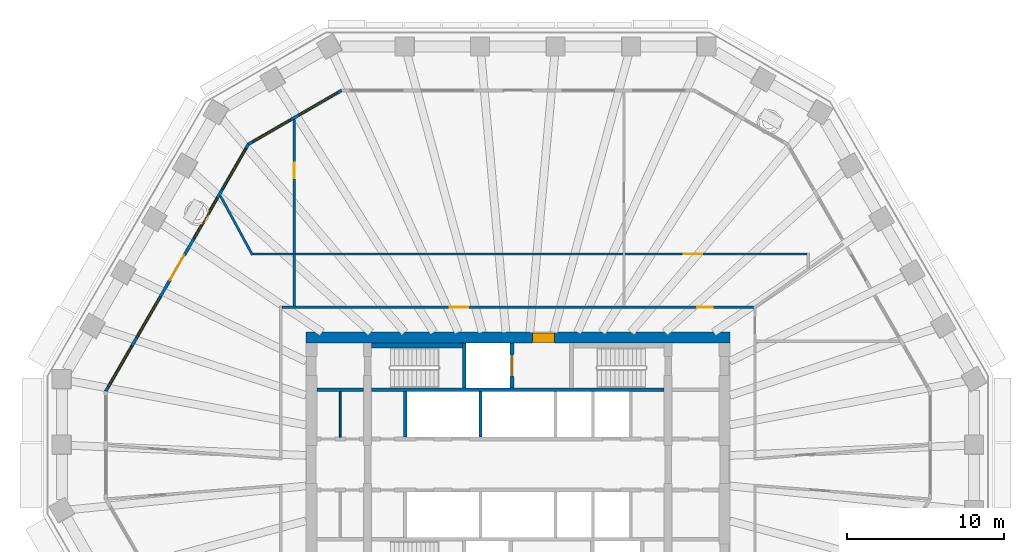
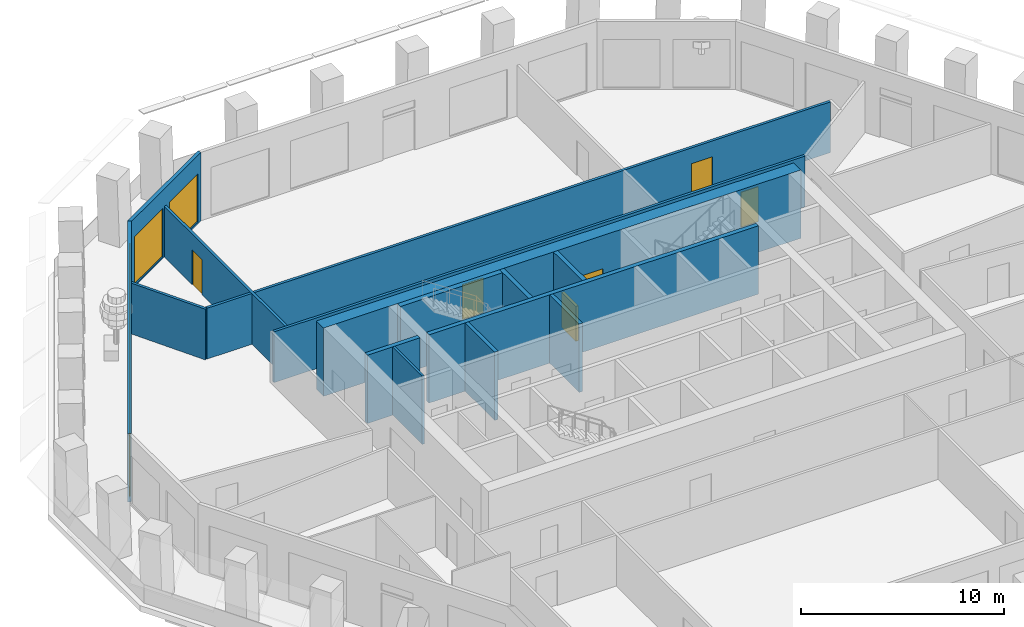
# One storey, part 7 of 13: 15 walls, 7 doors, 7 windows, 14 openings.
"""IFC4 building model written with IfcOpenShell, lengths in metres."""

from ifc_helpers import new_model, si_unit, direction, frame, frame_2d, origin, place, context, subcontext, project, spatial, polyline, rectangle, outline, extrude, material, layer, layer_set, type_object, element, fill, save


model = new_model("IFC4")

# Units and contexts
model_context = context("Model", 3, precision=1e-05, world=origin(), true_north=direction((0.0, 1.0)))
body_context = subcontext(model_context, "Body", "Model", "MODEL_VIEW")
ifc_project = project(units=[si_unit("LENGTHUNIT", "METRE"), si_unit("AREAUNIT", "SQUARE_METRE"), si_unit("VOLUMEUNIT", "CUBIC_METRE"), si_unit("PLANEANGLEUNIT", "RADIAN"), si_unit("MASSUNIT", "GRAM", prefix="KILO")], contexts=[model_context])

# Site, building, storey
site_placement = place(None, origin())
site = spatial("IfcSite", under=ifc_project, at=site_placement, CompositionType="ELEMENT")
building_placement = place(site_placement, origin())
building = spatial("IfcBuilding", under=site, at=building_placement, Name="Frailejon Research Tower", CompositionType="ELEMENT")
storey_placement = place(building_placement, frame((0.0, 0.0, 184.800048828125)))
storey = spatial("IfcBuildingStorey", under=building, at=storey_placement, Name="L40", CompositionType="ELEMENT", Elevation=184.800048828125)

# Wall
ifc_material_1 = material(Name="Plasterboard on steel studs", Category="steel")
ifc_layer_1 = layer(ifc_material_1, 0.125)
ifc_layer_set_1 = layer_set([ifc_layer_1], Name="Core partition 125")
wall_type_1 = type_object("IfcWallType", Name="Core partition 125", PredefinedType="PARTITIONING", material=ifc_layer_set_1)
wall_1_placement = place(storey_placement, frame((-11.35009765625, 1.75, 0.0), z_axis=(0.0, 0.0, 1.0), x_axis=(0.0, 1.0, 0.0)))
element("IfcWall", 1, at=wall_1_placement, inside=storey, type_object=wall_type_1, Name="Core partition", PredefinedType="PARTITIONING", context=body_context, shape_type="SweptSolid", body=[
    extrude(rectangle(XDim=2.89990234375, YDim=0.125, at=frame_2d((1.449951171875, 0.0))), origin(), (0.0, 0.0, 1.0), 4.099853515625),
])

# Wall, opening, door
ifc_material_2 = material(Name="Concrete C60/75", Category="concrete")
ifc_layer_2 = layer(ifc_material_2, 0.699951171875)
ifc_layer_set_2 = layer_set([ifc_layer_2], Name="Core shear wall 700 C60/75")
wall_type_2 = type_object("IfcWallType", Name="Core shear wall 700 C60/75", PredefinedType="SHEAR", material=ifc_layer_set_2)
wall_2_placement = place(storey_placement, frame((-13.550048828125, 8.10009765625, 0.0), z_axis=(0.0, 0.0, 1.0), x_axis=(1.0, 0.0, 0.0)))
wall_2 = element("IfcWall", 2, at=wall_2_placement, inside=storey, type_object=wall_type_2, Name="Core shear wall", PredefinedType="SHEAR", context=body_context, shape_type="SweptSolid", body=[
    extrude(rectangle(XDim=27.10009765625, YDim=0.699951171875, at=frame_2d((13.550048828125, 0.0))), origin(), (0.0, 0.0, 1.0), 4.099853515625),
])
opening_1_placement = place(wall_2_placement, frame((14.47509765625, 0.0, 0.0)))
opening_1 = element("IfcOpeningElement", 3, at=opening_1_placement, cuts=wall_2, Name="Opening D9", PredefinedType="OPENING", context=body_context, shape_type="SweptSolid", body=[
    extrude(rectangle(XDim=1.39990234375, YDim=2.10009765625, at=frame_2d((0.699951171875, 1.050048828125))), frame((0.0, 0.35986328125, 0.0), z_axis=(0.0, -1.0, 0.0), x_axis=(1.0, 0.0, 0.0)), (0.0, 0.0, 1.0), 0.719970703125),
])
ifc_material_3 = material(Name="Steel", Category="steel")
door_type_1 = type_object("IfcDoorType", Name="Goods lobby door", OperationType="DOUBLE_DOOR_SINGLE_SWING", PredefinedType="DOOR", material=ifc_material_3)
door_1_placement = place(opening_1_placement, origin())
door_1 = element("IfcDoor", 4, at=door_1_placement, inside=storey, type_object=door_type_1, Name="Goods lobby door", OperationType="DOUBLE_DOOR_SINGLE_SWING", OverallHeight=2.10009765625, OverallWidth=1.39990234375, PredefinedType="DOOR", context=body_context, shape_type="SweptSolid", body=[
    extrude(rectangle(XDim=1.39990234375, YDim=2.10009765625, at=frame_2d((0.699951171875, 1.050048828125))), frame((0.0, 0.300048828125, 0.0), z_axis=(0.0, -1.0, 0.0), x_axis=(1.0, 0.0, 0.0)), (0.0, 0.0, 1.0), 0.60009765625),
])
fill(opening_1, door_1)

# Wall, openings, doors
ifc_material_4 = material(Name="Gypsum board and masonry partition", Category="masonry")
ifc_layer_3 = layer(ifc_material_4, 0.14990234375)
ifc_layer_set_3 = layer_set([ifc_layer_3], Name="Corridor wall EI 60, gypsum on steel studs 150")
wall_type_3 = type_object("IfcWallType", Name="Corridor wall EI 60, gypsum on steel studs 150", PredefinedType="PARTITIONING", material=ifc_layer_set_3)
wall_3_placement = place(storey_placement, frame((-15.074951171875, 10.050048828125, 0.0), z_axis=(0.0, 0.0, 1.0), x_axis=(1.0, 0.0, 0.0)))
wall_3 = element("IfcWall", 5, at=wall_3_placement, inside=storey, type_object=wall_type_3, Name="T:IW:L40:003", PredefinedType="PARTITIONING", context=body_context, shape_type="SweptSolid", body=[
    extrude(rectangle(XDim=30.14990234375, YDim=0.14990234375, at=frame_2d((15.074951171875, 0.0))), origin(), (0.0, 0.0, 1.0), 3.050048828125),
])
opening_2_placement = place(wall_3_placement, frame((26.5390625, 0.0, 0.0)))
opening_2 = element("IfcOpeningElement", 6, at=opening_2_placement, cuts=wall_3, Name="Opening D1865", PredefinedType="OPENING", context=body_context, shape_type="SweptSolid", body=[
    extrude(rectangle(XDim=1.0, YDim=2.10009765625, at=frame_2d((0.5, 1.050048828125))), frame((0.0, 0.0849609375, 0.0), z_axis=(0.0, -1.0, 0.0), x_axis=(1.0, 0.0, 0.0)), (0.0, 0.0, 1.0), 0.169921875),
])
opening_3_placement = place(wall_3_placement, frame((10.71630859375, 0.0, 0.0)))
opening_3 = element("IfcOpeningElement", 7, at=opening_3_placement, cuts=wall_3, Name="Opening D1868", PredefinedType="OPENING", context=body_context, shape_type="SweptSolid", body=[
    extrude(rectangle(XDim=1.199951171875, YDim=2.10009765625, at=frame_2d((0.60009765625, 1.050048828125))), frame((0.0, 0.0849609375, 0.0), z_axis=(0.0, -1.0, 0.0), x_axis=(1.0, 0.0, 0.0)), (0.0, 0.0, 1.0), 0.169921875),
])
ifc_material_5 = material(Name="Timber door leaf", Category="wood")
door_type_2 = type_object("IfcDoorType", Name="Door laboratory, timber, vision panel 1000", OperationType="NOTDEFINED", PredefinedType="DOOR", material=ifc_material_5)
door_2_placement = place(opening_2_placement, origin())
door_2 = element("IfcDoor", 8, at=door_2_placement, inside=storey, type_object=door_type_2, Name="D1865", OperationType="SINGLE_SWING_LEFT", OverallHeight=2.10009765625, OverallWidth=1.0, PredefinedType="DOOR", context=body_context, shape_type="SweptSolid", body=[
    extrude(rectangle(XDim=1.0, YDim=2.10009765625, at=frame_2d((0.5, 1.050048828125))), frame((0.0, 0.02490234375, 0.0), z_axis=(0.0, -1.0, 0.0), x_axis=(1.0, 0.0, 0.0)), (0.0, 0.0, 1.0), 0.050048828125),
])
fill(opening_2, door_2)
ifc_material_6 = material(Name="Timber door leaf", Category="wood")
door_type_3 = type_object("IfcDoorType", Name="Door single leaf, timber, steel frame 1200", OperationType="NOTDEFINED", PredefinedType="DOOR", material=ifc_material_6)
door_3_placement = place(opening_3_placement, origin())
door_3 = element("IfcDoor", 9, at=door_3_placement, inside=storey, type_object=door_type_3, Name="D1868", OperationType="DOUBLE_DOOR_SINGLE_SWING", OverallHeight=2.10009765625, OverallWidth=1.199951171875, PredefinedType="DOOR", context=body_context, shape_type="SweptSolid", body=[
    extrude(rectangle(XDim=1.199951171875, YDim=2.10009765625, at=frame_2d((0.60009765625, 1.050048828125))), frame((0.0, 0.02490234375, 0.0), z_axis=(0.0, -1.0, 0.0), x_axis=(1.0, 0.0, 0.0)), (0.0, 0.0, 1.0), 0.050048828125),
])
fill(opening_3, door_3)

# Wall, opening, door
ifc_material_7 = material(Name="Gypsum board and masonry partition", Category="masonry")
ifc_layer_4 = layer(ifc_material_7, 0.14990234375)
ifc_layer_set_4 = layer_set([ifc_layer_4], Name="Laboratory partition, blockwork 150")
wall_type_4 = type_object("IfcWallType", Name="Laboratory partition, blockwork 150", PredefinedType="PARTITIONING", material=ifc_layer_set_4)
wall_4_placement = place(storey_placement, frame((-16.919189453125, 13.449951171875, 0.0), z_axis=(0.0, 0.0, 1.0), x_axis=(1.0, 0.0, 0.0)))
wall_4 = element("IfcWall", 10, at=wall_4_placement, inside=storey, type_object=wall_type_4, Name="T:IW:L40:013", PredefinedType="PARTITIONING", context=body_context, shape_type="SweptSolid", body=[
    extrude(rectangle(XDim=35.394287109375, YDim=0.14990234375, at=frame_2d((17.697265625, 0.0))), origin(), (0.0, 0.0, 1.0), 3.050048828125),
])
opening_4_placement = place(wall_4_placement, frame((27.501220703125, 0.0, 0.0)))
opening_4 = element("IfcOpeningElement", 11, at=opening_4_placement, cuts=wall_4, Name="Opening D1866", PredefinedType="OPENING", context=body_context, shape_type="SweptSolid", body=[
    extrude(rectangle(XDim=1.199951171875, YDim=2.10009765625, at=frame_2d((0.60009765625, 1.050048828125))), frame((0.0, 0.0849609375, 0.0), z_axis=(0.0, -1.0, 0.0), x_axis=(1.0, 0.0, 0.0)), (0.0, 0.0, 1.0), 0.169921875),
])
ifc_material_8 = material(Name="Timber door leaf", Category="wood")
door_type_4 = type_object("IfcDoorType", Name="Door laboratory, timber, vision panel 1200", OperationType="NOTDEFINED", PredefinedType="DOOR", material=ifc_material_8)
door_4_placement = place(opening_4_placement, origin())
door_4 = element("IfcDoor", 12, at=door_4_placement, inside=storey, type_object=door_type_4, Name="D1866", OperationType="DOUBLE_DOOR_SINGLE_SWING", OverallHeight=2.10009765625, OverallWidth=1.199951171875, PredefinedType="DOOR", context=body_context, shape_type="SweptSolid", body=[
    extrude(rectangle(XDim=1.199951171875, YDim=2.10009765625, at=frame_2d((0.60009765625, 1.050048828125))), frame((0.0, 0.02490234375, 0.0), z_axis=(0.0, -1.0, 0.0), x_axis=(1.0, 0.0, 0.0)), (0.0, 0.0, 1.0), 0.050048828125),
])
fill(opening_4, door_4)

wall_5_placement = place(storey_placement, frame((-14.29345703125, 10.125, 0.0), z_axis=(0.0, 0.0, 1.0), x_axis=(0.0, 1.0, 0.0)))
wall_5 = element("IfcWall", 13, at=wall_5_placement, inside=storey, type_object=wall_type_4, Name="T:IW:L40:016", PredefinedType="PARTITIONING", context=body_context, shape_type="SweptSolid", body=[
    extrude(rectangle(XDim=11.912109375, YDim=0.14990234375, at=frame_2d((5.9560546875, 0.0))), origin(), (0.0, 0.0, 1.0), 3.050048828125),
])
opening_5_placement = place(wall_5_placement, frame((8.151611328125, 0.0, 0.0)))
opening_5 = element("IfcOpeningElement", 14, at=opening_5_placement, cuts=wall_5, Name="Opening D1869", PredefinedType="OPENING", context=body_context, shape_type="SweptSolid", body=[
    extrude(rectangle(XDim=1.0, YDim=2.10009765625, at=frame_2d((0.5, 1.050048828125))), frame((0.0, 0.0849609375, 0.0), z_axis=(0.0, -1.0, 0.0), x_axis=(1.0, 0.0, 0.0)), (0.0, 0.0, 1.0), 0.169921875),
])
door_5_placement = place(opening_5_placement, origin())
door_5 = element("IfcDoor", 15, at=door_5_placement, inside=storey, type_object=door_type_2, Name="D1869", OperationType="SINGLE_SWING_LEFT", OverallHeight=2.10009765625, OverallWidth=1.0, PredefinedType="DOOR", context=body_context, shape_type="SweptSolid", body=[
    extrude(rectangle(XDim=1.0, YDim=2.10009765625, at=frame_2d((0.5, 1.050048828125))), frame((0.0, 0.02490234375, 0.0), z_axis=(0.0, -1.0, 0.0), x_axis=(1.0, 0.0, 0.0)), (0.0, 0.0, 1.0), 0.050048828125),
])
fill(opening_5, door_5)

# Walls
wall_6_placement = place(storey_placement, frame((-19.009033203125, 17.164306640625, 0.0), z_axis=(0.0, 0.0, 1.0), x_axis=(0.476802444232, -0.879010482972, 0.0)))
element("IfcWall", 16, at=wall_6_placement, inside=storey, type_object=wall_type_4, Name="T:IW:L40:017", PredefinedType="PARTITIONING", context=body_context, shape_type="SweptSolid", body=[
    extrude(rectangle(XDim=4.300537109375, YDim=0.14990234375, at=frame_2d((2.150390625, 0.0))), origin(), (0.0, 0.0, 1.0), 3.050048828125),
])
ifc_material_9 = material(Name="Concrete C60/75", Category="concrete")
ifc_layer_5 = layer(ifc_material_9, 0.199951171875)
ifc_layer_set_5 = layer_set([ifc_layer_5], Name="Shaft wall 200 C60/75")
wall_type_5 = type_object("IfcWallType", Name="Shaft wall 200 C60/75", PredefinedType="SOLIDWALL", material=ifc_layer_set_5)
for number, where, z_axis, x_axis, name in (
    (17, (-7.199951171875, 1.75, 0.0), (0.0, 0.0, 1.0), (0.0, 1.0, 0.0), "Shaft wall"),
    (18, (-2.39990234375, 1.75, 0.0), (0.0, 0.0, 1.0), (0.0, 1.0, 0.0), "Shaft wall"),
):
    element("IfcWall", number, at=place(storey_placement, frame(where, z_axis=z_axis, x_axis=x_axis)), inside=storey, type_object=wall_type_5, Name=name, PredefinedType="SOLIDWALL", context=body_context, shape_type="SweptSolid", body=[
        extrude(rectangle(XDim=2.89990234375, YDim=0.199951171875, at=frame_2d((1.449951171875, 0.0))), origin(), (0.0, 0.0, 1.0), 4.099853515625),
    ])
ifc_material_10 = material(Name="Concrete C60/75", Category="concrete")
ifc_layer_6 = layer(ifc_material_10, 0.25)
ifc_layer_set_6 = layer_set([ifc_layer_6], Name="Shaft wall 250 C60/75")
wall_type_6 = type_object("IfcWallType", Name="Shaft wall 250 C60/75", PredefinedType="SOLIDWALL", material=ifc_layer_set_6)
wall_7_placement = place(storey_placement, frame((-12.85009765625, 4.77490234375, 0.0), z_axis=(0.0, 0.0, 1.0), x_axis=(1.0, 0.0, 0.0)))
element("IfcWall", 19, at=wall_7_placement, inside=storey, type_object=wall_type_6, Name="Shaft wall", PredefinedType="SOLIDWALL", context=body_context, shape_type="SweptSolid", body=[
    extrude(rectangle(XDim=3.0, YDim=0.25, at=frame_2d((1.5, 0.0))), origin(), (0.0, 0.0, 1.0), 4.099853515625),
])
wall_8_placement = place(storey_placement, frame((-9.35009765625, 4.77490234375, 0.0), z_axis=(0.0, 0.0, 1.0), x_axis=(1.0, 0.0, 0.0)))
element("IfcWall", 20, at=wall_8_placement, inside=storey, type_object=wall_type_6, Name="Shaft wall", PredefinedType="SOLIDWALL", context=body_context, shape_type="SweptSolid", body=[
    extrude(rectangle(XDim=18.7001953125, YDim=0.25, at=frame_2d((9.35009765625, 0.0))), origin(), (0.0, 0.0, 1.0), 4.099853515625),
])
wall_9_placement = place(storey_placement, frame((-3.425048828125, 4.89990234375, 0.0), z_axis=(0.0, 0.0, 1.0), x_axis=(0.0, 1.0, 0.0)))
element("IfcWall", 21, at=wall_9_placement, inside=storey, type_object=wall_type_6, Name="Shaft wall", PredefinedType="SOLIDWALL", context=body_context, shape_type="SweptSolid", body=[
    extrude(rectangle(XDim=2.85009765625, YDim=0.25, at=frame_2d((1.425048828125, 0.0))), origin(), (0.0, 0.0, 1.0), 4.099853515625),
])

# Wall, opening, door
wall_10_placement = place(storey_placement, frame((-0.375, 4.89990234375, 0.0), z_axis=(0.0, 0.0, 1.0), x_axis=(0.0, 1.0, 0.0)))
wall_10 = element("IfcWall", 22, at=wall_10_placement, inside=storey, type_object=wall_type_6, Name="Shaft wall", PredefinedType="SOLIDWALL", context=body_context, shape_type="SweptSolid", body=[
    extrude(rectangle(XDim=2.85009765625, YDim=0.25, at=frame_2d((1.425048828125, 0.0))), origin(), (0.0, 0.0, 1.0), 4.099853515625),
])
opening_6_placement = place(wall_10_placement, frame((0.72509765625, 0.0, 0.0)))
opening_6 = element("IfcOpeningElement", 23, at=opening_6_placement, cuts=wall_10, Name="Opening LD2", PredefinedType="OPENING", context=body_context, shape_type="SweptSolid", body=[
    extrude(rectangle(XDim=1.39990234375, YDim=2.10009765625, at=frame_2d((0.699951171875, 1.050048828125))), frame((0.0, 0.135009765625, 0.0), z_axis=(0.0, -1.0, 0.0), x_axis=(1.0, 0.0, 0.0)), (0.0, 0.0, 1.0), 0.27001953125),
])
ifc_material_11 = material(Name="Stainless steel", Category="steel")
door_type_5 = type_object("IfcDoorType", Name="Goods landing door", OperationType="DOUBLE_DOOR_SLIDING", PredefinedType="DOOR", material=ifc_material_11)
door_6_placement = place(opening_6_placement, origin())
door_6 = element("IfcDoor", 24, at=door_6_placement, inside=storey, type_object=door_type_5, Name="Lift landing door", OperationType="DOUBLE_DOOR_SLIDING", OverallHeight=2.10009765625, OverallWidth=1.39990234375, PredefinedType="DOOR", context=body_context, shape_type="SweptSolid", body=[
    extrude(rectangle(XDim=1.39990234375, YDim=2.10009765625, at=frame_2d((0.699951171875, 1.050048828125))), frame((0.0, 0.074951171875, 0.0), z_axis=(0.0, -1.0, 0.0), x_axis=(1.0, 0.0, 0.0)), (0.0, 0.0, 1.0), 0.14990234375),
])
fill(opening_6, door_6)

# Wall
ifc_material_12 = material(Name="Concrete C60/75", Category="concrete")
ifc_layer_7 = layer(ifc_material_12, 0.300048828125)
ifc_layer_set_7 = layer_set([ifc_layer_7], Name="Shaft wall 300 C60/75")
wall_type_7 = type_object("IfcWallType", Name="Shaft wall 300 C60/75", PredefinedType="SOLIDWALL", material=ifc_layer_set_7)
wall_11_placement = place(storey_placement, frame((-9.35009765625, 7.60009765625, 0.0), z_axis=(0.0, 0.0, 1.0), x_axis=(1.0, 0.0, 0.0)))
element("IfcWall", 25, at=wall_11_placement, inside=storey, type_object=wall_type_7, Name="Shaft wall", PredefinedType="SOLIDWALL", context=body_context, shape_type="SweptSolid", body=[
    extrude(rectangle(XDim=5.800048828125, YDim=0.300048828125, at=frame_2d((2.89990234375, 0.0))), origin(), (0.0, 0.0, 1.0), 4.099853515625),
])

# Wall, openings, windows
ifc_material_13 = material(Name="Concrete C40/50 precast window wall panel", Category="concrete")
ifc_layer_8 = layer(ifc_material_13, 0.199951171875)
ifc_layer_set_8 = layer_set([ifc_layer_8], Name="Window wall 200")
wall_type_8 = type_object("IfcWallType", Name="Window wall 200", PredefinedType="SOLIDWALL", material=ifc_layer_set_8)
wall_12_placement = place(storey_placement, frame((-11.2666015625, 23.89990234375, 0.0), z_axis=(0.0, 0.0, 1.0), x_axis=(-0.866029458321, -0.49999297727, 0.0)))
wall_12 = element("IfcWall", 26, at=wall_12_placement, inside=storey, type_object=wall_type_8, Name="Exterior wall L40", PredefinedType="SOLIDWALL", context=body_context, shape_type="SweptSolid", body=[
    extrude(outline(polyline([(-0.02685546875, -0.10009765625), (1.1279296875, -0.10009765625), (2.282470703125, -0.10009765625), (3.437255859375, -0.10009765625), (4.592041015625, -0.10009765625), (5.74658203125, -0.10009765625), (6.9013671875, -0.10009765625), (6.84765625, 0.10009765625), (5.7109375, 0.10009765625), (4.573974609375, 0.10009765625), (3.437255859375, 0.10009765625), (2.300537109375, 0.10009765625), (1.16357421875, 0.10009765625), (0.02685546875, 0.10009765625), (-0.02685546875, -0.10009765625)])), origin(), (0.0, 0.0, 1.0), 4.099853515625),
])
opening_7_placement = place(wall_12_placement, frame((0.318603515625, 0.0, 0.10009765625)))
opening_7 = element("IfcOpeningElement", 27, at=opening_7_placement, cuts=wall_12, Name="Opening W3", PredefinedType="OPENING", context=body_context, shape_type="SweptSolid", body=[
    extrude(rectangle(XDim=2.800048828125, YDim=2.89990234375, at=frame_2d((1.39990234375, 1.449951171875))), frame((0.0, 0.10986328125, 0.0), z_axis=(0.0, -1.0, 0.0), x_axis=(1.0, 0.0, 0.0)), (0.0, 0.0, 1.0), 0.219970703125),
])
opening_8_placement = place(wall_12_placement, frame((3.756103515625, 0.0, 0.10009765625)))
opening_8 = element("IfcOpeningElement", 28, at=opening_8_placement, cuts=wall_12, Name="Opening W3", PredefinedType="OPENING", context=body_context, shape_type="SweptSolid", body=[
    extrude(rectangle(XDim=2.800048828125, YDim=2.89990234375, at=frame_2d((1.39990234375, 1.449951171875))), frame((0.0, 0.10986328125, 0.0), z_axis=(0.0, -1.0, 0.0), x_axis=(1.0, 0.0, 0.0)), (0.0, 0.0, 1.0), 0.219970703125),
])
ifc_material_14 = material(Name="Aluminium framed double glazing", Category="aluminium")
window_type_1 = type_object("IfcWindowType", Name="Window 2800x2900", PartitioningType="SINGLE_PANEL", PredefinedType="WINDOW", material=ifc_material_14)
window_1_placement = place(opening_7_placement, origin())
window_1 = element("IfcWindow", 29, at=window_1_placement, inside=storey, type_object=window_type_1, Name="Window L40", OverallHeight=2.89990234375, OverallWidth=2.800048828125, PartitioningType="SINGLE_PANEL", PredefinedType="WINDOW", context=body_context, shape_type="SweptSolid", body=[
    extrude(rectangle(XDim=2.800048828125, YDim=2.89990234375, at=frame_2d((1.39990234375, 1.449951171875))), frame((0.0, 0.030029296875, 0.0), z_axis=(0.0, -1.0, 0.0), x_axis=(1.0, 0.0, 0.0)), (0.0, 0.0, 1.0), 0.06005859375),
])
fill(opening_7, window_1)
window_2_placement = place(opening_8_placement, origin())
window_2 = element("IfcWindow", 30, at=window_2_placement, inside=storey, type_object=window_type_1, Name="Window L40", OverallHeight=2.89990234375, OverallWidth=2.800048828125, PartitioningType="SINGLE_PANEL", PredefinedType="WINDOW", context=body_context, shape_type="SweptSolid", body=[
    extrude(rectangle(XDim=2.800048828125, YDim=2.89990234375, at=frame_2d((1.39990234375, 1.449951171875))), frame((0.0, 0.030029296875, 0.0), z_axis=(0.0, -1.0, 0.0), x_axis=(1.0, 0.0, 0.0)), (0.0, 0.0, 1.0), 0.06005859375),
])
fill(opening_8, window_2)

# Wall, openings, door, windows
wall_13_placement = place(storey_placement, frame((-17.22021484375, 20.462646484375, 0.0), z_axis=(0.0, 0.0, 1.0), x_axis=(-0.500002344326, -0.866024050283, 0.0)))
wall_13 = element("IfcWall", 31, at=wall_13_placement, inside=storey, type_object=wall_type_8, Name="Exterior wall L40", PredefinedType="SOLIDWALL", context=body_context, shape_type="SweptSolid", body=[
    extrude(outline(polyline([(-0.02685546875, -0.10009765625), (0.988525390625, -0.10009765625), (2.00390625, -0.10009765625), (3.01904296875, -0.10009765625), (4.034423828125, -0.10009765625), (5.0498046875, -0.10009765625), (6.065185546875, -0.10009765625), (7.080322265625, -0.10009765625), (8.095703125, -0.10009765625), (9.111083984375, -0.10009765625), (10.12646484375, -0.10009765625), (11.141845703125, -0.10009765625), (12.156982421875, -0.10009765625), (13.17236328125, -0.10009765625), (14.187744140625, -0.10009765625), (15.203125, -0.10009765625), (16.21826171875, -0.10009765625), (17.233642578125, -0.10009765625), (18.2490234375, -0.10009765625), (18.1953125, 0.10009765625), (17.18603515625, 0.10009765625), (16.176513671875, 0.10009765625), (15.167236328125, 0.10009765625), (14.157958984375, 0.10009765625), (13.1484375, 0.10009765625), (12.13916015625, 0.10009765625), (11.1298828125, 0.10009765625), (10.120361328125, 0.10009765625), (9.111083984375, 0.10009765625), (8.101806640625, 0.10009765625), (7.09228515625, 0.10009765625), (6.0830078125, 0.10009765625), (5.07373046875, 0.10009765625), (4.064208984375, 0.10009765625), (3.054931640625, 0.10009765625), (2.045654296875, 0.10009765625), (1.0361328125, 0.10009765625), (0.02685546875, 0.10009765625), (-0.02685546875, -0.10009765625)])), origin(), (0.0, 0.0, 1.0), 4.099853515625),
])
opening_9_placement = place(wall_13_placement, frame((0.322265625, 0.0, 0.10009765625)))
opening_9 = element("IfcOpeningElement", 32, at=opening_9_placement, cuts=wall_13, Name="Opening W4", PredefinedType="OPENING", context=body_context, shape_type="SweptSolid", body=[
    extrude(rectangle(XDim=3.0, YDim=2.89990234375, at=frame_2d((1.5, 1.449951171875))), frame((0.0, 0.10986328125, 0.0), z_axis=(0.0, -1.0, 0.0), x_axis=(1.0, 0.0, 0.0)), (0.0, 0.0, 1.0), 0.219970703125),
])
opening_10_placement = place(wall_13_placement, frame((3.966796875, 0.0, 0.10009765625)))
opening_10 = element("IfcOpeningElement", 33, at=opening_10_placement, cuts=wall_13, Name="Opening W4", PredefinedType="OPENING", context=body_context, shape_type="SweptSolid", body=[
    extrude(rectangle(XDim=3.0, YDim=2.89990234375, at=frame_2d((1.5, 1.449951171875))), frame((0.0, 0.10986328125, 0.0), z_axis=(0.0, -1.0, 0.0), x_axis=(1.0, 0.0, 0.0)), (0.0, 0.0, 1.0), 0.219970703125),
])
opening_11_placement = place(wall_13_placement, frame((8.211181640625, 0.0, 0.0)))
opening_11 = element("IfcOpeningElement", 34, at=opening_11_placement, cuts=wall_13, Name="Opening LG40-3", PredefinedType="OPENING", context=body_context, shape_type="SweptSolid", body=[
    extrude(rectangle(XDim=1.800048828125, YDim=2.39990234375, at=frame_2d((0.89990234375, 1.199951171875))), frame((0.0, 0.10986328125, 0.0), z_axis=(0.0, -1.0, 0.0), x_axis=(1.0, 0.0, 0.0)), (0.0, 0.0, 1.0), 0.219970703125),
])
opening_12_placement = place(wall_13_placement, frame((8.211181640625, 0.0, 2.550048828125)))
opening_12 = element("IfcOpeningElement", 35, at=opening_12_placement, cuts=wall_13, Name="Opening W1", PredefinedType="OPENING", context=body_context, shape_type="SweptSolid", body=[
    extrude(rectangle(XDim=1.800048828125, YDim=0.449951171875, at=frame_2d((0.89990234375, 0.22509765625))), frame((0.0, 0.10986328125, 0.0), z_axis=(0.0, -1.0, 0.0), x_axis=(1.0, 0.0, 0.0)), (0.0, 0.0, 1.0), 0.219970703125),
])
opening_13_placement = place(wall_13_placement, frame((11.255615234375, 0.0, 0.10009765625)))
opening_13 = element("IfcOpeningElement", 36, at=opening_13_placement, cuts=wall_13, Name="Opening W4", PredefinedType="OPENING", context=body_context, shape_type="SweptSolid", body=[
    extrude(rectangle(XDim=3.0, YDim=2.89990234375, at=frame_2d((1.5, 1.449951171875))), frame((0.0, 0.10986328125, 0.0), z_axis=(0.0, -1.0, 0.0), x_axis=(1.0, 0.0, 0.0)), (0.0, 0.0, 1.0), 0.219970703125),
])
opening_14_placement = place(wall_13_placement, frame((14.89990234375, 0.0, 0.10009765625)))
opening_14 = element("IfcOpeningElement", 37, at=opening_14_placement, cuts=wall_13, Name="Opening W4", PredefinedType="OPENING", context=body_context, shape_type="SweptSolid", body=[
    extrude(rectangle(XDim=3.0, YDim=2.89990234375, at=frame_2d((1.5, 1.449951171875))), frame((0.0, 0.10986328125, 0.0), z_axis=(0.0, -1.0, 0.0), x_axis=(1.0, 0.0, 0.0)), (0.0, 0.0, 1.0), 0.219970703125),
])
ifc_material_15 = material(Name="Aluminium framed glazed door leaf", Category="aluminium")
door_type_6 = type_object("IfcDoorType", Name="Loggia door 1800x2400", OperationType="DOUBLE_DOOR_SINGLE_SWING", PredefinedType="DOOR", material=ifc_material_15)
door_7_placement = place(opening_11_placement, origin())
door_7 = element("IfcDoor", 38, at=door_7_placement, inside=storey, type_object=door_type_6, Name="Door LG40-3", OperationType="DOUBLE_DOOR_SINGLE_SWING", OverallHeight=2.39990234375, OverallWidth=1.800048828125, PredefinedType="DOOR", context=body_context, shape_type="SweptSolid", body=[
    extrude(rectangle(XDim=1.800048828125, YDim=2.39990234375, at=frame_2d((0.89990234375, 1.199951171875))), frame((0.0, 0.02490234375, 0.0), z_axis=(0.0, -1.0, 0.0), x_axis=(1.0, 0.0, 0.0)), (0.0, 0.0, 1.0), 0.050048828125),
])
fill(opening_11, door_7)
ifc_material_16 = material(Name="Aluminium framed double glazing", Category="aluminium")
window_type_2 = type_object("IfcWindowType", Name="Window 1800x450", PartitioningType="SINGLE_PANEL", PredefinedType="WINDOW", material=ifc_material_16)
window_3_placement = place(opening_12_placement, origin())
window_3 = element("IfcWindow", 39, at=window_3_placement, inside=storey, type_object=window_type_2, Name="Window L40", OverallHeight=0.449951171875, OverallWidth=1.800048828125, PartitioningType="SINGLE_PANEL", PredefinedType="WINDOW", context=body_context, shape_type="SweptSolid", body=[
    extrude(rectangle(XDim=1.800048828125, YDim=0.449951171875, at=frame_2d((0.89990234375, 0.22509765625))), frame((0.0, 0.030029296875, 0.0), z_axis=(0.0, -1.0, 0.0), x_axis=(1.0, 0.0, 0.0)), (0.0, 0.0, 1.0), 0.06005859375),
])
fill(opening_12, window_3)
ifc_material_17 = material(Name="Aluminium framed double glazing", Category="aluminium")
window_type_3 = type_object("IfcWindowType", Name="Window 3000x2900", PartitioningType="SINGLE_PANEL", PredefinedType="WINDOW", material=ifc_material_17)
window_4_placement = place(opening_9_placement, origin())
window_4 = element("IfcWindow", 40, at=window_4_placement, inside=storey, type_object=window_type_3, Name="Window L40", OverallHeight=2.89990234375, OverallWidth=3.0, PartitioningType="SINGLE_PANEL", PredefinedType="WINDOW", context=body_context, shape_type="SweptSolid", body=[
    extrude(rectangle(XDim=3.0, YDim=2.89990234375, at=frame_2d((1.5, 1.449951171875))), frame((0.0, 0.030029296875, 0.0), z_axis=(0.0, -1.0, 0.0), x_axis=(1.0, 0.0, 0.0)), (0.0, 0.0, 1.0), 0.06005859375),
])
fill(opening_9, window_4)
window_5_placement = place(opening_10_placement, origin())
window_5 = element("IfcWindow", 41, at=window_5_placement, inside=storey, type_object=window_type_3, Name="Window L40", OverallHeight=2.89990234375, OverallWidth=3.0, PartitioningType="SINGLE_PANEL", PredefinedType="WINDOW", context=body_context, shape_type="SweptSolid", body=[
    extrude(rectangle(XDim=3.0, YDim=2.89990234375, at=frame_2d((1.5, 1.449951171875))), frame((0.0, 0.030029296875, 0.0), z_axis=(0.0, -1.0, 0.0), x_axis=(1.0, 0.0, 0.0)), (0.0, 0.0, 1.0), 0.06005859375),
])
fill(opening_10, window_5)
window_6_placement = place(opening_13_placement, origin())
window_6 = element("IfcWindow", 42, at=window_6_placement, inside=storey, type_object=window_type_3, Name="Window L40", OverallHeight=2.89990234375, OverallWidth=3.0, PartitioningType="SINGLE_PANEL", PredefinedType="WINDOW", context=body_context, shape_type="SweptSolid", body=[
    extrude(rectangle(XDim=3.0, YDim=2.89990234375, at=frame_2d((1.5, 1.449951171875))), frame((0.0, 0.030029296875, 0.0), z_axis=(0.0, -1.0, 0.0), x_axis=(1.0, 0.0, 0.0)), (0.0, 0.0, 1.0), 0.06005859375),
])
fill(opening_13, window_6)
window_7_placement = place(opening_14_placement, origin())
window_7 = element("IfcWindow", 43, at=window_7_placement, inside=storey, type_object=window_type_3, Name="Window L40", OverallHeight=2.89990234375, OverallWidth=3.0, PartitioningType="SINGLE_PANEL", PredefinedType="WINDOW", context=body_context, shape_type="SweptSolid", body=[
    extrude(rectangle(XDim=3.0, YDim=2.89990234375, at=frame_2d((1.5, 1.449951171875))), frame((0.0, 0.030029296875, 0.0), z_axis=(0.0, -1.0, 0.0), x_axis=(1.0, 0.0, 0.0)), (0.0, 0.0, 1.0), 0.06005859375),
])
fill(opening_14, window_7)

save(model, "model.ifc")
